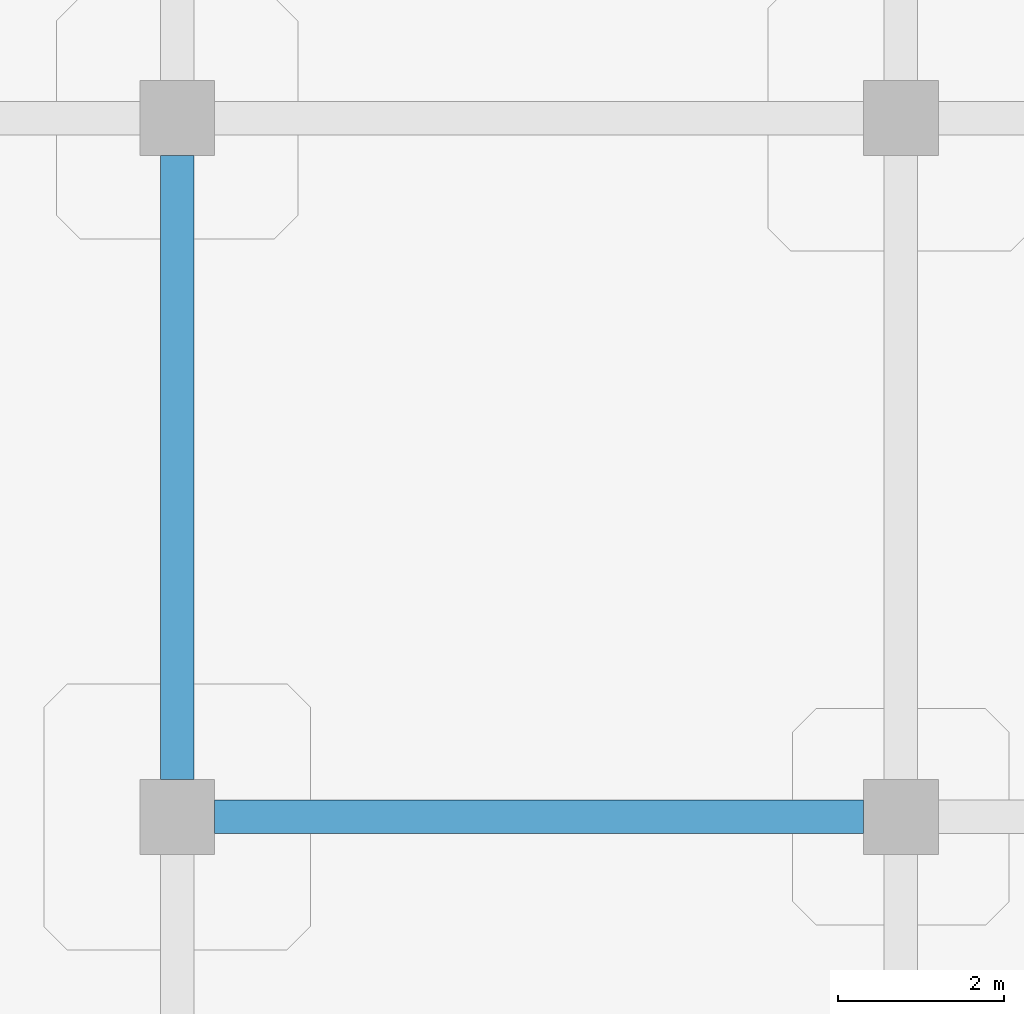
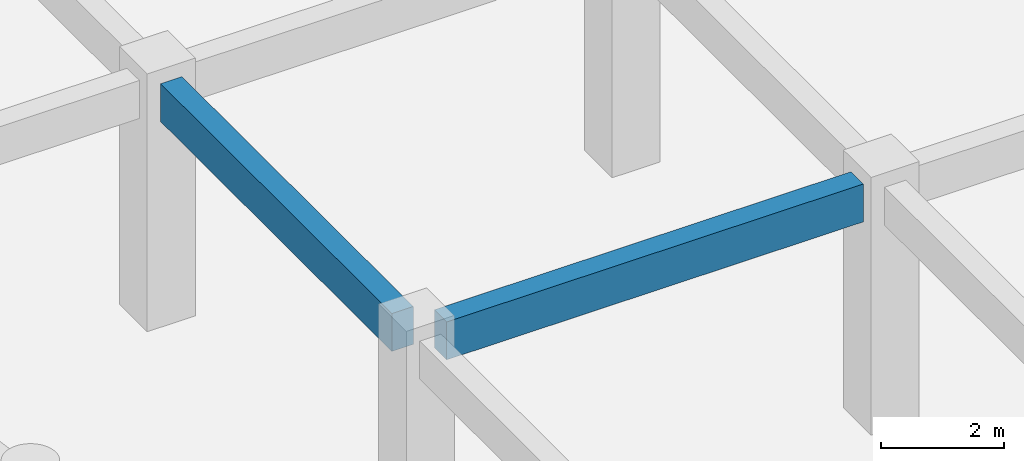
# One storey, part 9 of 120: 2 beams.
"""IFC4 building model written with IfcOpenShell, lengths in metres."""

import ifcopenshell
import ifcopenshell.guid

model = None  # the IFC model being written
_history = None  # IfcOwnerHistory: only IFC2X3 demands one
_inside = {}  # id of a spatial element -> (the spatial element, [elements in it])
_under = {}  # id of a project, library or spatial element -> (it, [spatial elements below it])
_declared = {}  # id of a project -> (the project, [libraries it declares])
_typed = {}  # id of a type object -> (the type object, [elements of that type])
_made_of = {}  # id of a material, layer set ... -> (it, [elements and type objects made of it])


def new_model(schema):
    """Start an empty IFC model of exactly this schema.

    Asked for "IFC4X3", IfcOpenShell would pick the latest addendum, in which some entities
    have other attributes; the version numbers below select the first issue.
    IFC2X3 requires an IfcOwnerHistory on every rooted entity: one is made here for all.
    """
    global model, _history
    if schema == "IFC4X3":
        model = ifcopenshell.file(schema_version=(4, 3, 0, 0))
    else:
        model = ifcopenshell.file(schema=schema)
    _inside.clear()
    _under.clear()
    _declared.clear()
    _typed.clear()
    _made_of.clear()
    _history = None
    if model.schema == "IFC2X3":
        org = make("IfcOrganization", Name="unknown")
        user = make(
            "IfcPersonAndOrganization",
            ThePerson=make("IfcPerson", FamilyName="unknown"),
            TheOrganization=org,
        )
        app = make(
            "IfcApplication",
            ApplicationDeveloper=org,
            Version="unknown",
            ApplicationFullName="unknown",
            ApplicationIdentifier="unknown",
        )
        _history = make(
            "IfcOwnerHistory",
            OwningUser=user,
            OwningApplication=app,
            ChangeAction="ADDED",
            CreationDate=0,
        )
    return model


def make(cls, **values):
    """One entity of the class cls with the attributes given. An attribute that is None is left unset."""
    return model.create_entity(
        cls, **{name: value for name, value in values.items() if value is not None}
    )


def rooted(cls, **values):
    """An entity with a GlobalId (a new one), such as an element, a storey or a relation."""
    return make(cls, GlobalId=ifcopenshell.guid.new(), OwnerHistory=_history, **values)


def si_unit(unit_type, name, prefix=None):
    """IfcSIUnit, for example si_unit("LENGTHUNIT", "METRE", prefix="MILLI")."""
    return make("IfcSIUnit", UnitType=unit_type, Prefix=prefix, Name=name)


def derived_unit(unit_type, elements):
    """IfcDerivedUnit: a product of units, each with its exponent."""
    return make(
        "IfcDerivedUnit",
        Elements=[
            make("IfcDerivedUnitElement", Unit=unit, Exponent=power)
            for unit, power in elements
        ],
        UnitType=unit_type,
    )


def assignment(units):
    """IfcUnitAssignment: the units of a project."""
    return None if units is None else make("IfcUnitAssignment", Units=units)


def point(xyz):
    """IfcCartesianPoint."""
    return None if xyz is None else make("IfcCartesianPoint", Coordinates=xyz)


def direction(xyz):
    """IfcDirection."""
    return None if xyz is None else make("IfcDirection", DirectionRatios=xyz)


def frame(location, z_axis=None, x_axis=None):
    """IfcAxis2Placement3D, a coordinate frame: its origin and axes. An axis left out is left unset."""
    return make(
        "IfcAxis2Placement3D",
        Location=point(location),
        Axis=direction(z_axis),
        RefDirection=direction(x_axis),
    )


def frame_2d(location, x_axis=None):
    """IfcAxis2Placement2D, a coordinate frame in the plane: its origin and x axis."""
    return make(
        "IfcAxis2Placement2D", Location=point(location), RefDirection=direction(x_axis)
    )


def origin():
    """The frame at (0, 0, 0) with its axes left unset."""
    return frame((0.0, 0.0, 0.0))


def origin_2d():
    """The frame at (0, 0) in the plane with its x axis left unset."""
    return frame_2d((0.0, 0.0))


def place(relative_to, where):
    """IfcLocalPlacement: puts the frame where relative to a parent placement (None: the world)."""
    return make(
        "IfcLocalPlacement", PlacementRelTo=relative_to, RelativePlacement=where
    )


def context(
    kind, dimensions, precision=None, world=None, true_north=None, identifier=None
):
    """IfcGeometricRepresentationContext, for example the 3D "Model" context."""
    return make(
        "IfcGeometricRepresentationContext",
        ContextIdentifier=identifier,
        ContextType=kind,
        CoordinateSpaceDimension=dimensions,
        Precision=precision,
        WorldCoordinateSystem=world,
        TrueNorth=true_north,
    )


def subcontext(parent, identifier, kind, view, scale=None):
    """IfcGeometricRepresentationSubContext, for example "Body" below "Model"."""
    return make(
        "IfcGeometricRepresentationSubContext",
        ContextIdentifier=identifier,
        ContextType=kind,
        ParentContext=parent,
        TargetScale=scale,
        TargetView=view,
    )


def project(units=None, contexts=None):
    """IfcProject with its units and contexts."""
    return rooted(
        "IfcProject",
        Name="project",
        RepresentationContexts=contexts,
        UnitsInContext=assignment(units),
    )


def spatial(cls, under=None, at=None, **own):
    """A site, building, storey or space (cls), placed at a placement, below another one or the project."""
    s = rooted(cls, ObjectPlacement=at, **own)
    if under is not None:
        _under.setdefault(under.id(), (under, []))[1].append(s)
    return s


def profile(cls, at=None, kind="AREA", **sizes):
    """A parametric profile (cls). Its sizes go by their IFC names, for example OverallWidth=200.0."""
    return make(cls, ProfileType=kind, Position=at, **sizes)


def rectangle(**sizes):
    """IfcRectangleProfileDef."""
    return profile("IfcRectangleProfileDef", **sizes)


def extrude(swept, where, along, depth):
    """IfcExtrudedAreaSolid: the profile swept, set in the frame where, extruded along a direction by depth."""
    return make(
        "IfcExtrudedAreaSolid",
        SweptArea=swept,
        Position=where,
        ExtrudedDirection=direction(along),
        Depth=depth,
    )


def shape(context_of_items, identifier, shape_type, items):
    """IfcShapeRepresentation: the items that make up one representation, for example the "Body"."""
    return make(
        "IfcShapeRepresentation",
        ContextOfItems=context_of_items,
        RepresentationIdentifier=identifier,
        RepresentationType=shape_type,
        Items=items,
    )


def material(Name=None, Category=None):
    """IfcMaterial."""
    return make("IfcMaterial", Name=Name, Category=Category)


def material_profile(
    of_material, cross_section, Name=None, Category=None, Priority=None
):
    """IfcMaterialProfile: a cross section and its material."""
    return make(
        "IfcMaterialProfile",
        Name=Name,
        Material=of_material,
        Profile=cross_section,
        Priority=Priority,
        Category=Category,
    )


def profile_set(profiles, Name=None, composite=None):
    """IfcMaterialProfileSet."""
    return make(
        "IfcMaterialProfileSet",
        Name=Name,
        MaterialProfiles=profiles,
        CompositeProfile=composite,
    )


def made_of(thing, what):
    """Note that an element or type object is made of a material, layer set ...; save() writes the relation."""
    if what is not None:
        _made_of.setdefault(what.id(), (what, []))[1].append(thing)
    return thing


def type_object(cls, material=None, **own):
    """A type object (cls), such as IfcWallType, which elements share."""
    return made_of(rooted(cls, **own), material)


def element(
    cls,
    number,
    at=None,
    inside=None,
    cuts=None,
    type_object=None,
    material=None,
    context=None,
    identifier="Body",
    shape_type=None,
    held_by="IfcProductDefinitionShape",
    body=None,
    shapes=None,
    **own,
):
    """One element of the class cls, such as IfcWall. Its Tag is "e" and its number.

    at: its placement. inside: the storey or other place that contains it. cuts: it is an
    opening in that element (IfcRelVoidsElement). A single representation is given by context,
    identifier, shape_type and body (its items); several are given by shapes. held_by: the class
    of the entity that holds the representations. save() writes the other relations.
    """
    e = rooted(cls, Tag="e%d" % number, ObjectPlacement=at, **own)
    if body is not None:
        shapes = [shape(context, identifier, shape_type, body)]
    if shapes is not None:
        e.Representation = make(held_by, Representations=shapes)
    if inside is not None:
        _inside.setdefault(inside.id(), (inside, []))[1].append(e)
    if cuts is not None:
        rooted(
            "IfcRelVoidsElement", RelatingBuildingElement=cuts, RelatedOpeningElement=e
        )
    if type_object is not None:
        _typed.setdefault(type_object.id(), (type_object, []))[1].append(e)
    return made_of(e, material)


def aggregate(whole, parts):
    """IfcRelAggregates: a whole, such as a stair, and the parts it consists of."""
    return rooted("IfcRelAggregates", RelatingObject=whole, RelatedObjects=parts)


def save(model, path):
    """Write the relations noted so far, then the file.

    IfcRelAggregates (storeys below a building ...), IfcRelContainedInSpatialStructure (elements
    in a storey), IfcRelDefinesByType, IfcRelAssociatesMaterial and IfcRelDeclares: one each for
    every whole, place, type object, material and project.
    """
    for whole, parts in _under.values():
        aggregate(whole, parts)
    for where, things in _inside.values():
        rooted(
            "IfcRelContainedInSpatialStructure",
            RelatedElements=things,
            RelatingStructure=where,
        )
    for kind, things in _typed.values():
        rooted("IfcRelDefinesByType", RelatedObjects=things, RelatingType=kind)
    for what, things in _made_of.values():
        rooted("IfcRelAssociatesMaterial", RelatedObjects=things, RelatingMaterial=what)
    for by, libraries in _declared.values():
        rooted("IfcRelDeclares", RelatingContext=by, RelatedDefinitions=libraries)
    model.write(path)


model = new_model("IFC4")

# Units and contexts
model_context = context("Model", 3, precision=1e-05, world=origin(), true_north=direction((0.0, 1.0)))
body_context = subcontext(model_context, "Body", "Model", "MODEL_VIEW")
ifc_project = project(units=[si_unit("LENGTHUNIT", "METRE"), si_unit("AREAUNIT", "SQUARE_METRE"), si_unit("VOLUMEUNIT", "CUBIC_METRE"), si_unit("PLANEANGLEUNIT", "RADIAN"), si_unit("MASSUNIT", "GRAM", prefix="KILO"), derived_unit("THERMALTRANSMITTANCEUNIT", [(si_unit("MASSUNIT", "GRAM", prefix="KILO"), 1), (si_unit("TIMEUNIT", "SECOND"), -3), (si_unit("THERMODYNAMICTEMPERATUREUNIT", "KELVIN"), -1)])], contexts=[model_context])

# Site, building, storey
site_placement = place(None, origin())
site = spatial("IfcSite", under=ifc_project, at=site_placement, CompositionType="ELEMENT")
building_placement = place(site_placement, origin())
building = spatial("IfcBuilding", under=site, at=building_placement, Name="Qinzheling Arcade Emporium", CompositionType="ELEMENT")
storey_placement = place(building_placement, frame((0.0, 0.0, 11.39990234375)))
storey = spatial("IfcBuildingStorey", under=building, at=storey_placement, Name="L03", CompositionType="ELEMENT", Elevation=11.39990234375)

# Beams
ifc_material = material(Name="Concrete C40", Category="concrete")
ifc_material_profile = material_profile(ifc_material, rectangle(XDim=0.39990234375, YDim=0.75, at=origin_2d()), Name="RC 400x750", Category="concrete")
ifc_profile_set = profile_set([ifc_material_profile], Name="Concrete C40")
beam_type = type_object("IfcBeamType", Name="RC Interior Tie Beam 400x750 C40", PredefinedType="BEAM", material=ifc_profile_set)
beam_1_placement = place(storey_placement, frame((9.14990234375, 16.800048828125, 4.445068359375), z_axis=(1.0, 0.0, 0.0), x_axis=(0.0, 1.0, 0.0)))
element("IfcBeam", 1, at=beam_1_placement, inside=storey, type_object=beam_type, Name="Beam BM-L03-X-C-2", PredefinedType="BEAM", context=body_context, shape_type="SweptSolid", body=[
    extrude(rectangle(XDim=0.39990234375, YDim=0.75, at=origin_2d()), origin(), (0.0, 0.0, 1.0), 7.800048828125),
])
beam_2_placement = place(storey_placement, frame((8.699951171875, 17.25, 4.445068359375), z_axis=(0.0, 1.0, 0.0), x_axis=(-1.0, 0.0, 0.0)))
element("IfcBeam", 2, at=beam_2_placement, inside=storey, type_object=beam_type, Name="Beam BM-L03-Y-2-C", PredefinedType="BEAM", context=body_context, shape_type="SweptSolid", body=[
    extrude(rectangle(XDim=0.39990234375, YDim=0.75, at=origin_2d()), origin(), (0.0, 0.0, 1.0), 7.5),
])

save(model, "model.ifc")
